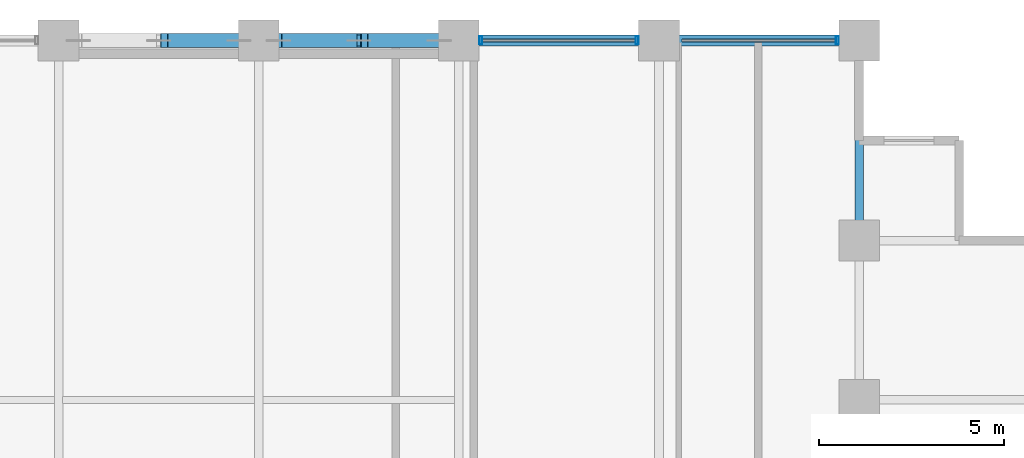
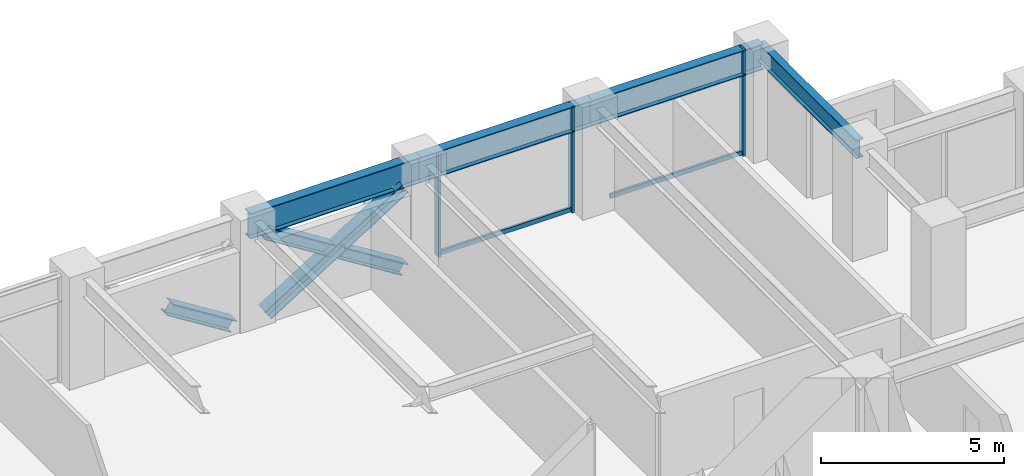
# One storey, part 17 of 25: 9 members, 4 beams, 1 element without a shape of its own.
"""IFC4 building model written with IfcOpenShell, lengths in metres."""

from ifc_helpers import new_model, si_unit, direction, frame, origin, origin_2d, place, context, subcontext, project, spatial, hollow_rectangle, i_section, extrude, material, layer, layer_set, material_profile, profile_set, type_object, element, aggregate, save


model = new_model("IFC4")

# Units and contexts
model_context = context("Model", 3, precision=1e-05, world=origin(), true_north=direction((0.0, 1.0)))
body_context = subcontext(model_context, "Body", "Model", "MODEL_VIEW")
ifc_project = project(units=[si_unit("LENGTHUNIT", "METRE"), si_unit("AREAUNIT", "SQUARE_METRE"), si_unit("VOLUMEUNIT", "CUBIC_METRE"), si_unit("PLANEANGLEUNIT", "RADIAN"), si_unit("MASSUNIT", "GRAM", prefix="KILO")], contexts=[model_context])

# Site, building, storey
site_placement = place(None, origin())
site = spatial("IfcSite", under=ifc_project, at=site_placement, CompositionType="ELEMENT")
building_placement = place(site_placement, origin())
building = spatial("IfcBuilding", under=site, at=building_placement, Name="Surkhivell Harbour Commons", CompositionType="ELEMENT")
storey_placement = place(building_placement, frame((0.0, 0.0, 98.25)))
storey = spatial("IfcBuildingStorey", under=building, at=storey_placement, Name="L25", CompositionType="ELEMENT", Elevation=98.25)

# Beams
ifc_material_1 = material(Name="Steel S355", Category="steel")
ifc_material_profile_1 = material_profile(ifc_material_1, i_section(OverallWidth=0.22998046875, OverallDepth=0.616943359375, WebThickness=0.01318359375, FlangeThickness=0.022216796875, at=origin_2d()), Name="UB610x229x140")
ifc_profile_set_1 = profile_set([ifc_material_profile_1], Name="Steel S355")
beam_type_1 = type_object("IfcBeamType", Name="BM-GRD-610B", PredefinedType="BEAM", material=ifc_profile_set_1)
beam_1_placement = place(storey_placement, frame((16.199951171875, 20.5, 3.261474609375), z_axis=(0.0, 1.0, 0.0), x_axis=(-1.0, 0.0, 0.0)))
element("IfcBeam", 1, at=beam_1_placement, inside=storey, type_object=beam_type_1, Name="L25 Floor Girder (16.2,20.5)", PredefinedType="BEAM", context=body_context, shape_type="SweptSolid", body=[
    extrude(i_section(OverallWidth=0.22998046875, OverallDepth=0.616943359375, WebThickness=0.01318359375, FlangeThickness=0.022216796875, at=origin_2d()), origin(), (0.0, 0.0, 1.0), 5.39990234375),
])
ifc_material_2 = material(Name="Steel S460", Category="steel")
ifc_material_profile_2 = material_profile(ifc_material_2, i_section(OverallWidth=0.2939453125, OverallDepth=0.85107421875, WebThickness=0.01611328125, FlangeThickness=0.02685546875, at=origin_2d()), Name="UB838x292x226")
ifc_profile_set_2 = profile_set([ifc_material_profile_2], Name="Steel S460")
beam_type_2 = type_object("IfcBeamType", Name="BM-SPN-838", PredefinedType="SPANDREL", material=ifc_profile_set_2)
beam_2_placement = place(storey_placement, frame((0.0, 25.89990234375, 3.14453125), z_axis=(1.0, 0.0, 0.0), x_axis=(0.0, 1.0, 0.0)))
element("IfcBeam", 2, at=beam_2_placement, inside=storey, type_object=beam_type_2, Name="L25 Tube Spandrel (-0.0,25.9)", PredefinedType="SPANDREL", context=body_context, shape_type="SweptSolid", body=[
    extrude(i_section(OverallWidth=0.2939453125, OverallDepth=0.85107421875, WebThickness=0.01611328125, FlangeThickness=0.02685546875, at=origin_2d()), origin(), (0.0, 0.0, 1.0), 5.39990234375),
])
beam_3_placement = place(storey_placement, frame((5.39990234375, 25.89990234375, 3.14453125), z_axis=(1.0, 0.0, 0.0), x_axis=(0.0, 1.0, 0.0)))
element("IfcBeam", 3, at=beam_3_placement, inside=storey, type_object=beam_type_2, Name="L25 Tube Spandrel (5.4,25.9)", PredefinedType="SPANDREL", context=body_context, shape_type="SweptSolid", body=[
    extrude(i_section(OverallWidth=0.2939453125, OverallDepth=0.85107421875, WebThickness=0.01611328125, FlangeThickness=0.02685546875, at=origin_2d()), origin(), (0.0, 0.0, 1.0), 5.400146484375),
])
beam_4_placement = place(storey_placement, frame((10.800048828125, 25.89990234375, 3.14453125), z_axis=(1.0, 0.0, 0.0), x_axis=(0.0, 1.0, 0.0)))
element("IfcBeam", 4, at=beam_4_placement, inside=storey, type_object=beam_type_2, Name="L25 Tube Spandrel (10.8,25.9)", PredefinedType="SPANDREL", context=body_context, shape_type="SweptSolid", body=[
    extrude(i_section(OverallWidth=0.2939453125, OverallDepth=0.85107421875, WebThickness=0.01611328125, FlangeThickness=0.02685546875, at=origin_2d()), origin(), (0.0, 0.0, 1.0), 5.39990234375),
])

# Curtain wall, members
ifc_material_3 = material(Name="Anodised pale-metal aluminium and insulated glazing", Category="aluminium")
ifc_layer = layer(ifc_material_3, 0.205078125)
ifc_layer_set = layer_set([ifc_layer], Name="Anodised pale-metal aluminium and insulated glazing")
curtain_wall_type = type_object("IfcCurtainWallType", Name="CW-SYS-Z2", PredefinedType="NOTDEFINED", material=ifc_layer_set)
curtain_wall_placement = place(storey_placement, origin())
curtain_wall = element("IfcCurtainWall", 5, at=curtain_wall_placement, inside=storey, type_object=curtain_wall_type, Name="L25 Curtain Wall CW-L25-E07S1", PredefinedType="NOTDEFINED")
ifc_material_4 = material(Name="Anodised pale-metal aluminium alloy 6063-T6", Category="aluminium")
ifc_material_profile_3 = material_profile(ifc_material_4, hollow_rectangle(XDim=0.074951171875, YDim=0.219970703125, WallThickness=0.00390625, at=origin_2d()), Name="ALU-MULL-75x220")
ifc_profile_set_3 = profile_set([ifc_material_profile_3], Name="Anodised pale-metal aluminium alloy 6063-T6")
member_type_1 = type_object("IfcMemberType", Name="CWM-220", PredefinedType="MULLION", material=ifc_profile_set_3)
member_1_placement = place(storey_placement, frame((15.610595703125, 25.89990234375, 0.0), z_axis=(0.0, 0.0, 1.0), x_axis=(-1.0, 0.0, 0.0)))
member_1 = element("IfcMember", 6, at=member_1_placement, type_object=member_type_1, Name="CW-Z2 mullion 1", PredefinedType="MULLION", context=body_context, shape_type="SweptSolid", body=[
    extrude(hollow_rectangle(XDim=0.074951171875, YDim=0.219970703125, WallThickness=0.00390625, at=origin_2d()), origin(), (0.0, 0.0, 1.0), 3.570068359375),
])
member_2_placement = place(storey_placement, frame((10.21044921875, 25.89990234375, 0.0), z_axis=(0.0, 0.0, 1.0), x_axis=(-1.0, 0.0, 0.0)))
member_2 = element("IfcMember", 7, at=member_2_placement, type_object=member_type_1, Name="CW-Z2 mullion 2", PredefinedType="MULLION", context=body_context, shape_type="SweptSolid", body=[
    extrude(hollow_rectangle(XDim=0.074951171875, YDim=0.219970703125, WallThickness=0.00390625, at=origin_2d()), origin(), (0.0, 0.0, 1.0), 3.570068359375),
])
member_3_placement = place(storey_placement, frame((5.989501953125, 25.89990234375, 0.0), z_axis=(0.0, 0.0, 1.0), x_axis=(-1.0, 0.0, 0.0)))
member_3 = element("IfcMember", 8, at=member_3_placement, type_object=member_type_1, Name="CW-Z2 mullion 3", PredefinedType="MULLION", context=body_context, shape_type="SweptSolid", body=[
    extrude(hollow_rectangle(XDim=0.074951171875, YDim=0.219970703125, WallThickness=0.00390625, at=origin_2d()), origin(), (0.0, 0.0, 1.0), 3.570068359375),
])
ifc_material_profile_4 = material_profile(ifc_material_4, hollow_rectangle(XDim=0.074951171875, YDim=0.14990234375, WallThickness=0.00341796875, at=origin_2d()), Name="ALU-TRAN-75x150")
ifc_profile_set_4 = profile_set([ifc_material_profile_4], Name="Anodised pale-metal aluminium alloy 6063-T6")
member_type_2 = type_object("IfcMemberType", Name="CWT-150", PredefinedType="USERDEFINED", material=ifc_profile_set_4)
member_4_placement = place(storey_placement, frame((15.572998046875, 25.89990234375, 0.074951171875), z_axis=(-1.0, 0.0, 0.0), x_axis=(0.0, -1.0, 0.0)))
member_4 = element("IfcMember", 9, at=member_4_placement, type_object=member_type_2, Name="CW-Z2 transom 1.1", ObjectType="TRANSOM", PredefinedType="USERDEFINED", context=body_context, shape_type="SweptSolid", body=[
    extrude(hollow_rectangle(XDim=0.074951171875, YDim=0.14990234375, WallThickness=0.00341796875, at=origin_2d()), origin(), (0.0, 0.0, 1.0), 4.14599609375),
])
member_5_placement = place(storey_placement, frame((10.173095703125, 25.89990234375, 0.074951171875), z_axis=(-1.0, 0.0, 0.0), x_axis=(0.0, -1.0, 0.0)))
member_5 = element("IfcMember", 10, at=member_5_placement, type_object=member_type_2, Name="CW-Z2 transom 2.1", ObjectType="TRANSOM", PredefinedType="USERDEFINED", context=body_context, shape_type="SweptSolid", body=[
    extrude(hollow_rectangle(XDim=0.074951171875, YDim=0.14990234375, WallThickness=0.00341796875, at=origin_2d()), origin(), (0.0, 0.0, 1.0), 4.14599609375),
])
aggregate(curtain_wall, [member_1, member_4, member_2, member_3, member_5])

# Members
ifc_material_profile_5 = material_profile(ifc_material_2, i_section(OverallWidth=0.375, OverallDepth=0.375, WebThickness=0.0166015625, FlangeThickness=0.027099609375, at=origin_2d()), Name="UC356x368x202")
ifc_profile_set_5 = profile_set([ifc_material_profile_5], Name="Steel S460")
member_type_3 = type_object("IfcMemberType", Name="MEM-BRC-UC356", PredefinedType="BRACE", material=ifc_profile_set_5)
member_6_placement = place(storey_placement, frame((-0.534912109375, 25.89990234375, 0.008056640625), z_axis=(-0.8472353132, 0.0, 0.531217774615), x_axis=(0.0, -1.0, 0.0)))
element("IfcMember", 11, at=member_6_placement, inside=storey, type_object=member_type_3, Name="L25 Perimeter Mega-Brace MB- 02", PredefinedType="BRACE", context=body_context, shape_type="SweptSolid", body=[
    extrude(i_section(OverallWidth=0.375, OverallDepth=0.375, WebThickness=0.0166015625, FlangeThickness=0.027099609375, at=origin_2d()), origin(), (0.0, 0.0, 1.0), 2.37548828125),
])
member_7_placement = place(storey_placement, frame((0.534912109375, 25.89990234375, 0.008056640625), z_axis=(0.847246015888, 0.0, 0.531200704594), x_axis=(0.0, 1.0, 0.0)))
element("IfcMember", 12, at=member_7_placement, inside=storey, type_object=member_type_3, Name="L25 Perimeter Mega-Brace MB- 04", PredefinedType="BRACE", context=body_context, shape_type="SweptSolid", body=[
    extrude(i_section(OverallWidth=0.375, OverallDepth=0.375, WebThickness=0.0166015625, FlangeThickness=0.027099609375, at=origin_2d()), origin(), (0.0, 0.0, 1.0), 5.11083984375),
])
for number, where, z_axis, x_axis, name in (
    (13, (4.864990234375, 25.89990234375, 0.008056640625), (-0.847206308526, 0.0, 0.53126403115), (0.0, -1.0, 0.0), "L25 Perimeter Mega-Brace MB- 05"),
    (14, (2.547607421875, 25.89990234375, 1.461181640625), (-0.847281565812, 0.0, 0.531143999529), (0.0, -1.0, 0.0), "L25 Perimeter Mega-Brace MB- 06"),
):
    element("IfcMember", number, at=place(storey_placement, frame(where, z_axis=z_axis, x_axis=x_axis)), inside=storey, type_object=member_type_3, Name=name, PredefinedType="BRACE", context=body_context, shape_type="SweptSolid", body=[
        extrude(i_section(OverallWidth=0.375, OverallDepth=0.375, WebThickness=0.0166015625, FlangeThickness=0.027099609375, at=origin_2d()), origin(), (0.0, 0.0, 1.0), 2.37548828125),
    ])

save(model, "model.ifc")
